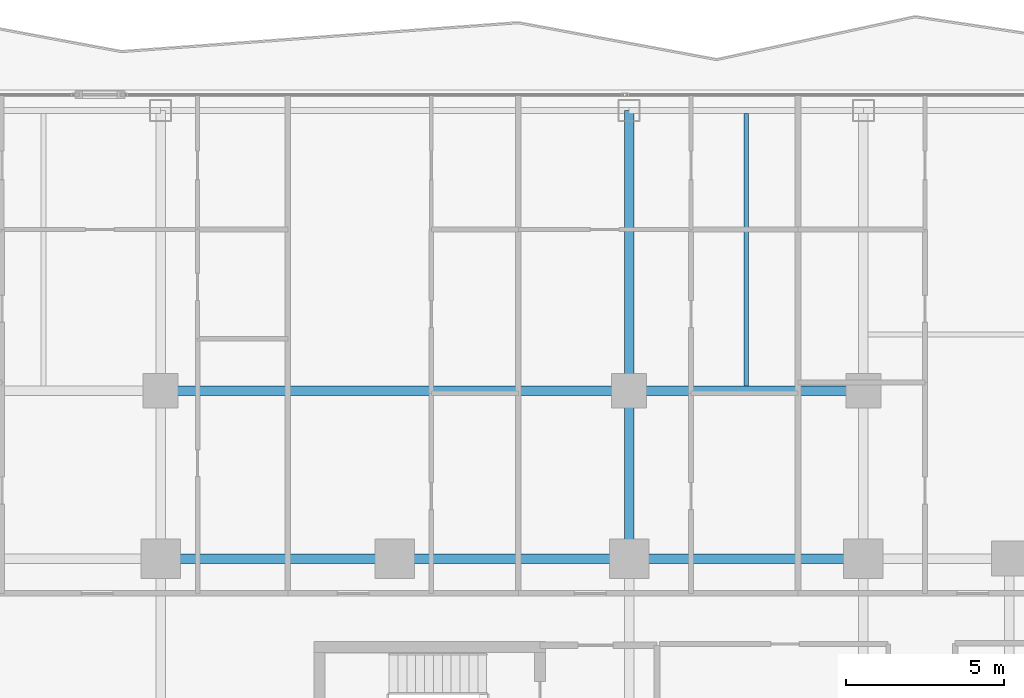
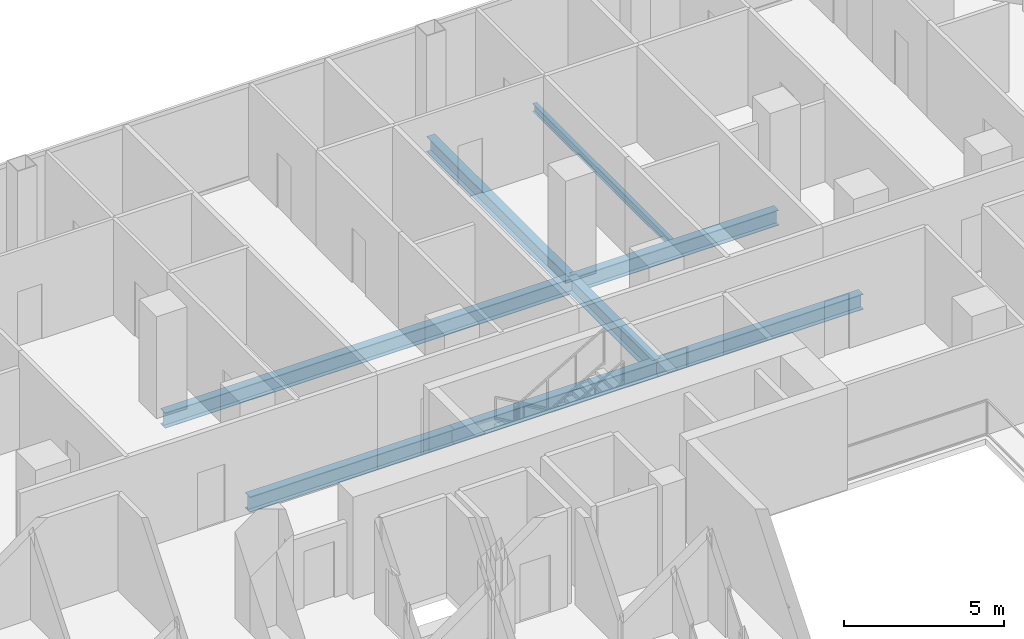
# One storey, part 13 of 26: 8 beams.
"""IFC4 building model written with IfcOpenShell, lengths in metres."""

from ifc_helpers import new_model, si_unit, direction, frame, origin, origin_2d, place, context, subcontext, project, spatial, i_section, extrude, material, material_profile, profile_set, type_object, element, save


model = new_model("IFC4")

# Units and contexts
model_context = context("Model", 3, precision=1e-05, world=origin(), true_north=direction((0.0, 1.0)))
body_context = subcontext(model_context, "Body", "Model", "MODEL_VIEW")
ifc_project = project(units=[si_unit("LENGTHUNIT", "METRE"), si_unit("AREAUNIT", "SQUARE_METRE"), si_unit("VOLUMEUNIT", "CUBIC_METRE"), si_unit("PLANEANGLEUNIT", "RADIAN"), si_unit("MASSUNIT", "GRAM", prefix="KILO")], contexts=[model_context])

# Site, building, storey
site_placement = place(None, origin())
site = spatial("IfcSite", under=ifc_project, at=site_placement, CompositionType="ELEMENT")
building_placement = place(site_placement, origin())
building = spatial("IfcBuilding", under=site, at=building_placement, Name="Khorvyn Point Tower", CompositionType="ELEMENT")
storey_placement = place(building_placement, frame((0.0, 0.0, 113.39990234375)))
storey = spatial("IfcBuildingStorey", under=building, at=storey_placement, Name="L28", CompositionType="ELEMENT", Elevation=113.39990234375)

# Beams
ifc_material = material(Name="Steel S355", Category="steel")
ifc_material_profile_1 = material_profile(ifc_material, i_section(OverallWidth=0.300048828125, OverallDepth=0.587890625, WebThickness=0.011962890625, FlangeThickness=0.02001953125, at=origin_2d()))
ifc_profile_set_1 = profile_set([ifc_material_profile_1], Name="Steel S355 H588x300x12x20")
beam_type_1 = type_object("IfcBeamType", Name="Steel S355 Beam H588x300x12x20", PredefinedType="BEAM", material=ifc_profile_set_1)
for number, where, z_axis, x_axis, name in (
    (1, (-7.39990234375, 14.800048828125, -0.513916015625), (1.0, 0.0, 0.0), (0.0, 1.0, 0.0), "Beam"),
    (2, (0.0, 14.800048828125, -0.513916015625), (1.0, 0.0, 0.0), (0.0, 1.0, 0.0), "Beam"),
):
    element("IfcBeam", number, at=place(storey_placement, frame(where, z_axis=z_axis, x_axis=x_axis)), inside=storey, type_object=beam_type_1, Name=name, PredefinedType="BEAM", context=body_context, shape_type="SweptSolid", body=[
        extrude(i_section(OverallWidth=0.300048828125, OverallDepth=0.587890625, WebThickness=0.011962890625, FlangeThickness=0.02001953125, at=origin_2d()), origin(), (0.0, 0.0, 1.0), 7.39990234375),
    ])
beam_1_placement = place(storey_placement, frame((7.39990234375, 14.800048828125, -0.513916015625), z_axis=(1.0, 0.0, 0.0), x_axis=(0.0, 1.0, 0.0)))
element("IfcBeam", 3, at=beam_1_placement, inside=storey, type_object=beam_type_1, Name="Beam", PredefinedType="BEAM", context=body_context, shape_type="SweptSolid", body=[
    extrude(i_section(OverallWidth=0.300048828125, OverallDepth=0.587890625, WebThickness=0.011962890625, FlangeThickness=0.02001953125, at=origin_2d()), origin(), (0.0, 0.0, 1.0), 7.400146484375),
])
beam_2_placement = place(storey_placement, frame((-7.39990234375, 20.10009765625, -0.513916015625), z_axis=(1.0, 0.0, 0.0), x_axis=(0.0, 1.0, 0.0)))
element("IfcBeam", 4, at=beam_2_placement, inside=storey, type_object=beam_type_1, Name="Beam", PredefinedType="BEAM", context=body_context, shape_type="SweptSolid", body=[
    extrude(i_section(OverallWidth=0.300048828125, OverallDepth=0.587890625, WebThickness=0.011962890625, FlangeThickness=0.02001953125, at=origin_2d()), origin(), (0.0, 0.0, 1.0), 14.7998046875),
])
beam_3_placement = place(storey_placement, frame((7.39990234375, 20.10009765625, -0.513916015625), z_axis=(1.0, 0.0, 0.0), x_axis=(0.0, 1.0, 0.0)))
element("IfcBeam", 5, at=beam_3_placement, inside=storey, type_object=beam_type_1, Name="Beam", PredefinedType="BEAM", context=body_context, shape_type="SweptSolid", body=[
    extrude(i_section(OverallWidth=0.300048828125, OverallDepth=0.587890625, WebThickness=0.011962890625, FlangeThickness=0.02001953125, at=origin_2d()), origin(), (0.0, 0.0, 1.0), 7.400146484375),
])
beam_4_placement = place(storey_placement, frame((7.39990234375, 14.800048828125, -0.513916015625), z_axis=(0.0, 1.0, 0.0), x_axis=(-1.0, 0.0, 0.0)))
element("IfcBeam", 6, at=beam_4_placement, inside=storey, type_object=beam_type_1, Name="Beam", PredefinedType="BEAM", context=body_context, shape_type="SweptSolid", body=[
    extrude(i_section(OverallWidth=0.300048828125, OverallDepth=0.587890625, WebThickness=0.011962890625, FlangeThickness=0.02001953125, at=origin_2d()), origin(), (0.0, 0.0, 1.0), 5.300048828125),
])
beam_5_placement = place(storey_placement, frame((7.39990234375, 20.10009765625, -0.513916015625), z_axis=(0.0, 1.0, 0.0), x_axis=(-1.0, 0.0, 0.0)))
element("IfcBeam", 7, at=beam_5_placement, inside=storey, type_object=beam_type_1, Name="Beam", PredefinedType="BEAM", context=body_context, shape_type="SweptSolid", body=[
    extrude(i_section(OverallWidth=0.300048828125, OverallDepth=0.587890625, WebThickness=0.011962890625, FlangeThickness=0.02001953125, at=origin_2d()), origin(), (0.0, 0.0, 1.0), 8.849853515625),
])
ifc_material_profile_2 = material_profile(ifc_material, i_section(OverallWidth=0.14990234375, OverallDepth=0.300048828125, WebThickness=0.006591796875, FlangeThickness=0.009033203125, at=origin_2d()))
ifc_profile_set_2 = profile_set([ifc_material_profile_2], Name="Steel S355 H300x150x6.5x9")
beam_type_2 = type_object("IfcBeamType", Name="Steel S355 Joist H300x150x6.5x9", PredefinedType="JOIST", material=ifc_profile_set_2)
beam_6_placement = place(storey_placement, frame((11.10009765625, 20.25, -0.369873046875), z_axis=(0.0, 1.0, 0.0), x_axis=(-1.0, 0.0, 0.0)))
element("IfcBeam", 8, at=beam_6_placement, inside=storey, type_object=beam_type_2, Name="Beam", PredefinedType="JOIST", context=body_context, shape_type="SweptSolid", body=[
    extrude(i_section(OverallWidth=0.14990234375, OverallDepth=0.300048828125, WebThickness=0.006591796875, FlangeThickness=0.009033203125, at=origin_2d()), origin(), (0.0, 0.0, 1.0), 8.60009765625),
])

save(model, "model.ifc")
